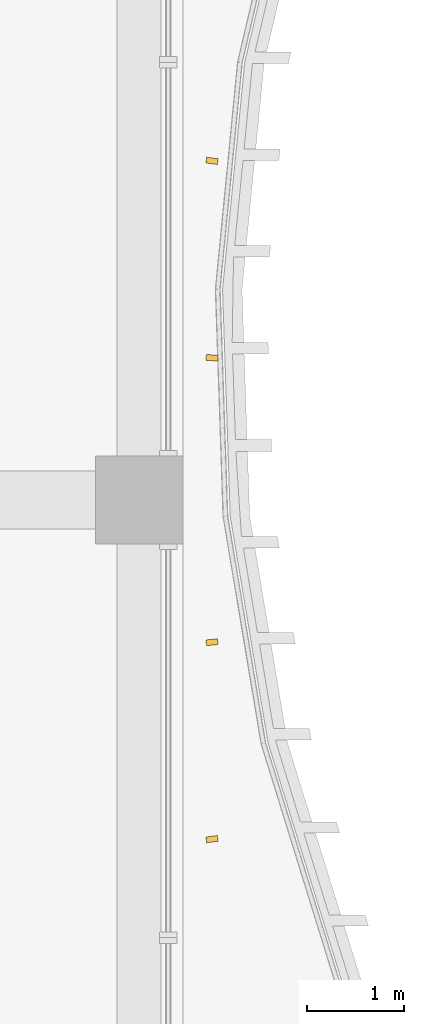
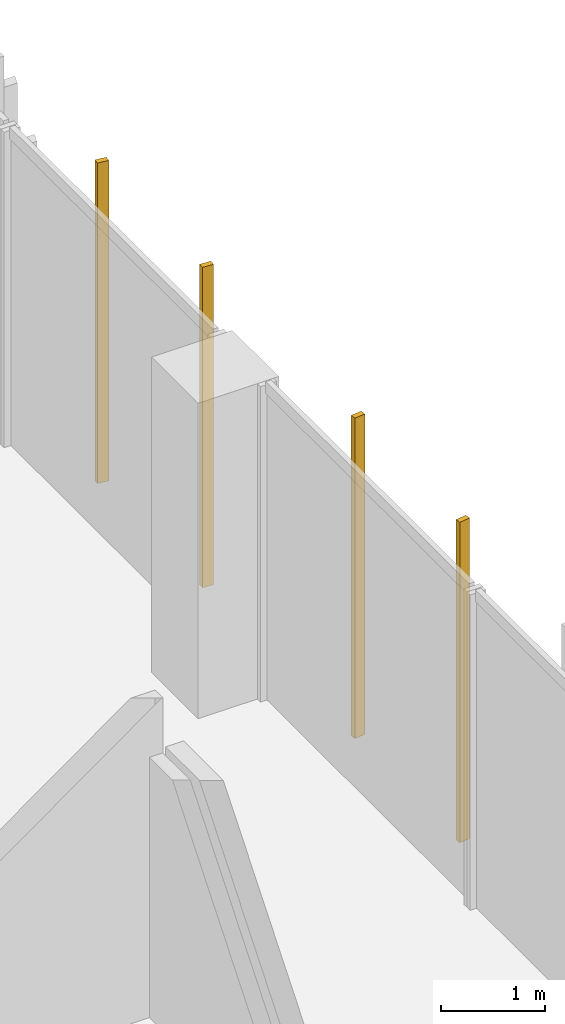
# One storey, part 23 of 25: 4 shading devices.
"""IFC4 building model written with IfcOpenShell, lengths in metres."""

from ifc_helpers import new_model, si_unit, direction, frame, origin, origin_2d, place, context, subcontext, project, spatial, rectangle, extrude, source, transform, mapped, material, material_profile, profile_set, type_object, element, save


model = new_model("IFC4")

# Units and contexts
model_context = context("Model", 3, precision=1e-05, world=origin(), true_north=direction((0.0, 1.0)))
body_context = subcontext(model_context, "Body", "Model", "MODEL_VIEW")
ifc_project = project(units=[si_unit("LENGTHUNIT", "METRE"), si_unit("AREAUNIT", "SQUARE_METRE"), si_unit("VOLUMEUNIT", "CUBIC_METRE"), si_unit("PLANEANGLEUNIT", "RADIAN"), si_unit("MASSUNIT", "GRAM", prefix="KILO")], contexts=[model_context])

# Site, building, storey
site_placement = place(None, origin())
site = spatial("IfcSite", under=ifc_project, at=site_placement, CompositionType="ELEMENT")
building_placement = place(site_placement, origin())
building = spatial("IfcBuilding", under=site, at=building_placement, Name="Kilnfold Tower and Market Hall", CompositionType="ELEMENT")
storey_placement = place(building_placement, frame((0.0, 0.0, 67.199951171875)))
storey = spatial("IfcBuildingStorey", under=building, at=storey_placement, Name="L15", CompositionType="ELEMENT", Elevation=67.199951171875)

# Shading devices
ifc_material = material(Name="Terracotta", Category="masonry")
ifc_material_profile = material_profile(ifc_material, rectangle(XDim=0.06005859375, YDim=0.1201171875, at=origin_2d()), Name="BAG 60x120")
ifc_profile_set = profile_set([ifc_material_profile], Name="Terracotta")
shading_device_type = type_object("IfcShadingDeviceType", Name="BAGUETTE", PredefinedType="USERDEFINED", material=ifc_profile_set)
shared_shape = source(origin(), body_context, "Body", "SweptSolid", [
    extrude(rectangle(XDim=0.06005859375, YDim=0.1201171875, at=origin_2d()), origin(), (0.0, 0.0, 1.0), 3.780029296875),
])
for number, where, z_axis, x_axis, name in (
    (1, (33.300048828125, -4.487548828125, 0.0), (0.0, 0.0, 1.0), (-0.137333904211, 0.990524809762, 0.0), "Terracotta baguette L15 E"),
    (2, (33.300048828125, -2.46240234375, 0.0), (0.0, 0.0, 1.0), (-0.102403646143, 0.994742928227, 0.0), "Terracotta baguette L15 E"),
    (3, (33.300048828125, 0.46240234375, 0.0), (0.0, 0.0, 1.0), (0.065357847761, 0.997861890111, 0.0), "Terracotta baguette L15 E"),
    (4, (33.300048828125, 2.487548828125, 0.0), (0.0, 0.0, 1.0), (0.137072851864, 0.990560968988, 0.0), "Terracotta baguette L15 E"),
):
    element("IfcShadingDevice", number, at=place(storey_placement, frame(where, z_axis=z_axis, x_axis=x_axis)), inside=storey, type_object=shading_device_type, Name=name, ObjectType="BAGUETTE", PredefinedType="USERDEFINED", context=body_context, shape_type="MappedRepresentation", body=[
        mapped(shared_shape, transform((0.0, 0.0, 0.0))),
    ])

save(model, "model.ifc")
